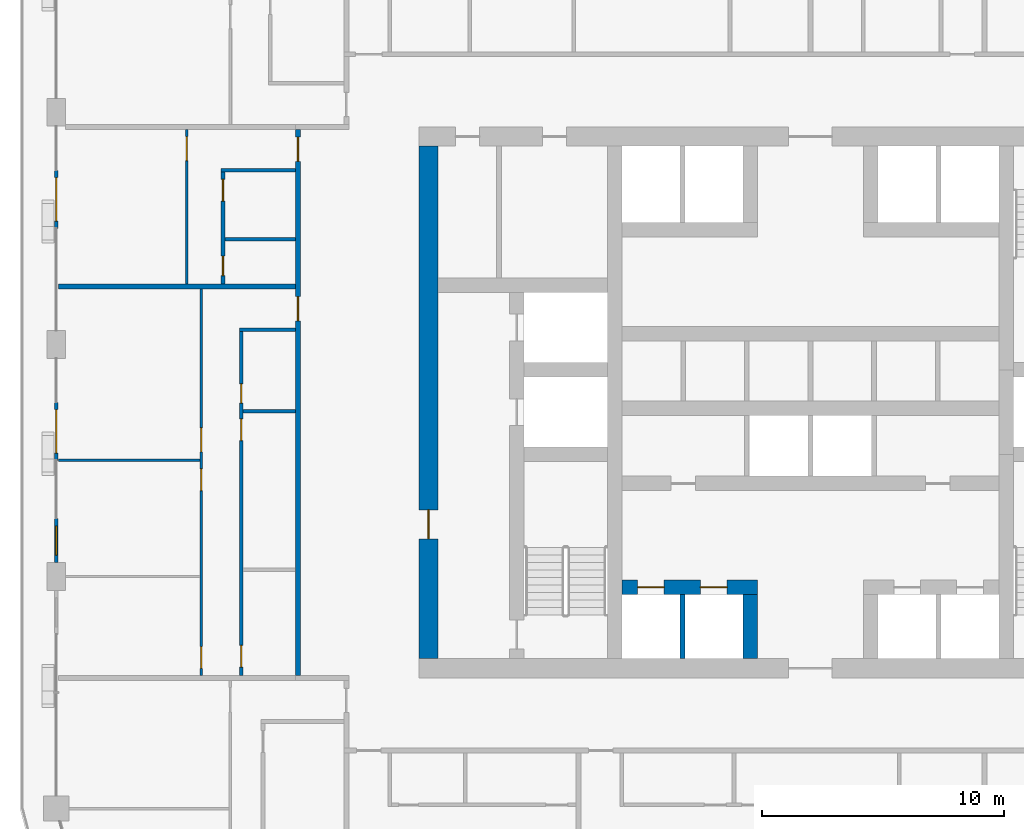
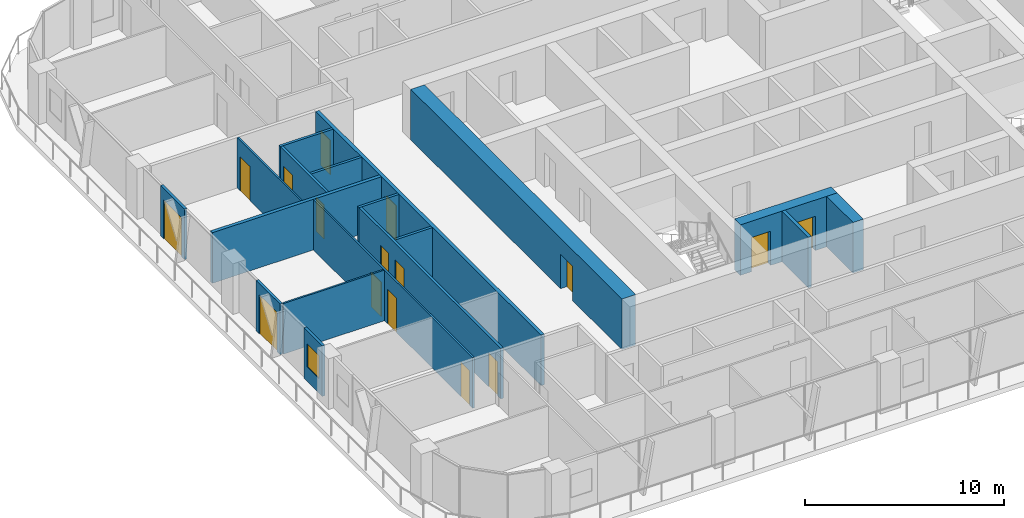
# One storey, part 10 of 22: 18 walls, 16 doors, 1 window, 17 openings.
"""IFC4 building model written with IfcOpenShell, lengths in metres."""

import ifcopenshell
import ifcopenshell.guid

model = None  # the IFC model being written
_history = None  # IfcOwnerHistory: only IFC2X3 demands one
_inside = {}  # id of a spatial element -> (the spatial element, [elements in it])
_under = {}  # id of a project, library or spatial element -> (it, [spatial elements below it])
_declared = {}  # id of a project -> (the project, [libraries it declares])
_typed = {}  # id of a type object -> (the type object, [elements of that type])
_made_of = {}  # id of a material, layer set ... -> (it, [elements and type objects made of it])


def new_model(schema):
    """Start an empty IFC model of exactly this schema.

    Asked for "IFC4X3", IfcOpenShell would pick the latest addendum, in which some entities
    have other attributes; the version numbers below select the first issue.
    IFC2X3 requires an IfcOwnerHistory on every rooted entity: one is made here for all.
    """
    global model, _history
    if schema == "IFC4X3":
        model = ifcopenshell.file(schema_version=(4, 3, 0, 0))
    else:
        model = ifcopenshell.file(schema=schema)
    _inside.clear()
    _under.clear()
    _declared.clear()
    _typed.clear()
    _made_of.clear()
    _history = None
    if model.schema == "IFC2X3":
        org = make("IfcOrganization", Name="unknown")
        user = make(
            "IfcPersonAndOrganization",
            ThePerson=make("IfcPerson", FamilyName="unknown"),
            TheOrganization=org,
        )
        app = make(
            "IfcApplication",
            ApplicationDeveloper=org,
            Version="unknown",
            ApplicationFullName="unknown",
            ApplicationIdentifier="unknown",
        )
        _history = make(
            "IfcOwnerHistory",
            OwningUser=user,
            OwningApplication=app,
            ChangeAction="ADDED",
            CreationDate=0,
        )
    return model


def make(cls, **values):
    """One entity of the class cls with the attributes given. An attribute that is None is left unset."""
    return model.create_entity(
        cls, **{name: value for name, value in values.items() if value is not None}
    )


def rooted(cls, **values):
    """An entity with a GlobalId (a new one), such as an element, a storey or a relation."""
    return make(cls, GlobalId=ifcopenshell.guid.new(), OwnerHistory=_history, **values)


def si_unit(unit_type, name, prefix=None):
    """IfcSIUnit, for example si_unit("LENGTHUNIT", "METRE", prefix="MILLI")."""
    return make("IfcSIUnit", UnitType=unit_type, Prefix=prefix, Name=name)


def assignment(units):
    """IfcUnitAssignment: the units of a project."""
    return None if units is None else make("IfcUnitAssignment", Units=units)


def point(xyz):
    """IfcCartesianPoint."""
    return None if xyz is None else make("IfcCartesianPoint", Coordinates=xyz)


def direction(xyz):
    """IfcDirection."""
    return None if xyz is None else make("IfcDirection", DirectionRatios=xyz)


def frame(location, z_axis=None, x_axis=None):
    """IfcAxis2Placement3D, a coordinate frame: its origin and axes. An axis left out is left unset."""
    return make(
        "IfcAxis2Placement3D",
        Location=point(location),
        Axis=direction(z_axis),
        RefDirection=direction(x_axis),
    )


def frame_2d(location, x_axis=None):
    """IfcAxis2Placement2D, a coordinate frame in the plane: its origin and x axis."""
    return make(
        "IfcAxis2Placement2D", Location=point(location), RefDirection=direction(x_axis)
    )


def origin():
    """The frame at (0, 0, 0) with its axes left unset."""
    return frame((0.0, 0.0, 0.0))


def place(relative_to, where):
    """IfcLocalPlacement: puts the frame where relative to a parent placement (None: the world)."""
    return make(
        "IfcLocalPlacement", PlacementRelTo=relative_to, RelativePlacement=where
    )


def context(
    kind, dimensions, precision=None, world=None, true_north=None, identifier=None
):
    """IfcGeometricRepresentationContext, for example the 3D "Model" context."""
    return make(
        "IfcGeometricRepresentationContext",
        ContextIdentifier=identifier,
        ContextType=kind,
        CoordinateSpaceDimension=dimensions,
        Precision=precision,
        WorldCoordinateSystem=world,
        TrueNorth=true_north,
    )


def subcontext(parent, identifier, kind, view, scale=None):
    """IfcGeometricRepresentationSubContext, for example "Body" below "Model"."""
    return make(
        "IfcGeometricRepresentationSubContext",
        ContextIdentifier=identifier,
        ContextType=kind,
        ParentContext=parent,
        TargetScale=scale,
        TargetView=view,
    )


def project(units=None, contexts=None):
    """IfcProject with its units and contexts."""
    return rooted(
        "IfcProject",
        Name="project",
        RepresentationContexts=contexts,
        UnitsInContext=assignment(units),
    )


def spatial(cls, under=None, at=None, **own):
    """A site, building, storey or space (cls), placed at a placement, below another one or the project."""
    s = rooted(cls, ObjectPlacement=at, **own)
    if under is not None:
        _under.setdefault(under.id(), (under, []))[1].append(s)
    return s


def profile(cls, at=None, kind="AREA", **sizes):
    """A parametric profile (cls). Its sizes go by their IFC names, for example OverallWidth=200.0."""
    return make(cls, ProfileType=kind, Position=at, **sizes)


def rectangle(**sizes):
    """IfcRectangleProfileDef."""
    return profile("IfcRectangleProfileDef", **sizes)


def extrude(swept, where, along, depth):
    """IfcExtrudedAreaSolid: the profile swept, set in the frame where, extruded along a direction by depth."""
    return make(
        "IfcExtrudedAreaSolid",
        SweptArea=swept,
        Position=where,
        ExtrudedDirection=direction(along),
        Depth=depth,
    )


def shape(context_of_items, identifier, shape_type, items):
    """IfcShapeRepresentation: the items that make up one representation, for example the "Body"."""
    return make(
        "IfcShapeRepresentation",
        ContextOfItems=context_of_items,
        RepresentationIdentifier=identifier,
        RepresentationType=shape_type,
        Items=items,
    )


def material(Name=None, Category=None):
    """IfcMaterial."""
    return make("IfcMaterial", Name=Name, Category=Category)


def layer(
    of_material, thickness, ventilated=None, Name=None, Category=None, Priority=None
):
    """IfcMaterialLayer: one layer of a wall or slab, of a material (None: an air gap)."""
    return make(
        "IfcMaterialLayer",
        Material=of_material,
        LayerThickness=thickness,
        IsVentilated=ventilated,
        Name=Name,
        Category=Category,
        Priority=Priority,
    )


def layer_set(layers, Name=None):
    """IfcMaterialLayerSet."""
    return make("IfcMaterialLayerSet", MaterialLayers=layers, LayerSetName=Name)


def made_of(thing, what):
    """Note that an element or type object is made of a material, layer set ...; save() writes the relation."""
    if what is not None:
        _made_of.setdefault(what.id(), (what, []))[1].append(thing)
    return thing


def type_object(cls, material=None, **own):
    """A type object (cls), such as IfcWallType, which elements share."""
    return made_of(rooted(cls, **own), material)


def element(
    cls,
    number,
    at=None,
    inside=None,
    cuts=None,
    type_object=None,
    material=None,
    context=None,
    identifier="Body",
    shape_type=None,
    held_by="IfcProductDefinitionShape",
    body=None,
    shapes=None,
    **own,
):
    """One element of the class cls, such as IfcWall. Its Tag is "e" and its number.

    at: its placement. inside: the storey or other place that contains it. cuts: it is an
    opening in that element (IfcRelVoidsElement). A single representation is given by context,
    identifier, shape_type and body (its items); several are given by shapes. held_by: the class
    of the entity that holds the representations. save() writes the other relations.
    """
    e = rooted(cls, Tag="e%d" % number, ObjectPlacement=at, **own)
    if body is not None:
        shapes = [shape(context, identifier, shape_type, body)]
    if shapes is not None:
        e.Representation = make(held_by, Representations=shapes)
    if inside is not None:
        _inside.setdefault(inside.id(), (inside, []))[1].append(e)
    if cuts is not None:
        rooted(
            "IfcRelVoidsElement", RelatingBuildingElement=cuts, RelatedOpeningElement=e
        )
    if type_object is not None:
        _typed.setdefault(type_object.id(), (type_object, []))[1].append(e)
    return made_of(e, material)


def fill(opening, filler):
    """IfcRelFillsElement: the door or window that sits in an opening."""
    return rooted(
        "IfcRelFillsElement",
        RelatingOpeningElement=opening,
        RelatedBuildingElement=filler,
    )


def aggregate(whole, parts):
    """IfcRelAggregates: a whole, such as a stair, and the parts it consists of."""
    return rooted("IfcRelAggregates", RelatingObject=whole, RelatedObjects=parts)


def save(model, path):
    """Write the relations noted so far, then the file.

    IfcRelAggregates (storeys below a building ...), IfcRelContainedInSpatialStructure (elements
    in a storey), IfcRelDefinesByType, IfcRelAssociatesMaterial and IfcRelDeclares: one each for
    every whole, place, type object, material and project.
    """
    for whole, parts in _under.values():
        aggregate(whole, parts)
    for where, things in _inside.values():
        rooted(
            "IfcRelContainedInSpatialStructure",
            RelatedElements=things,
            RelatingStructure=where,
        )
    for kind, things in _typed.values():
        rooted("IfcRelDefinesByType", RelatedObjects=things, RelatingType=kind)
    for what, things in _made_of.values():
        rooted("IfcRelAssociatesMaterial", RelatedObjects=things, RelatingMaterial=what)
    for by, libraries in _declared.values():
        rooted("IfcRelDeclares", RelatingContext=by, RelatedDefinitions=libraries)
    model.write(path)


model = new_model("IFC4")

# Units and contexts
model_context = context("Model", 3, precision=1e-05, world=origin(), true_north=direction((0.0, 1.0)))
body_context = subcontext(model_context, "Body", "Model", "MODEL_VIEW")
ifc_project = project(units=[si_unit("LENGTHUNIT", "METRE"), si_unit("AREAUNIT", "SQUARE_METRE"), si_unit("VOLUMEUNIT", "CUBIC_METRE"), si_unit("PLANEANGLEUNIT", "RADIAN"), si_unit("MASSUNIT", "GRAM", prefix="KILO")], contexts=[model_context])

# Site, building, storey
site_placement = place(None, origin())
site = spatial("IfcSite", under=ifc_project, at=site_placement, CompositionType="ELEMENT")
building_placement = place(site_placement, origin())
building = spatial("IfcBuilding", under=site, at=building_placement, Name="Madar Terraces", CompositionType="ELEMENT")
storey_placement = place(building_placement, frame((0.0, 0.0, 140.10009765625)))
storey = spatial("IfcBuildingStorey", under=building, at=storey_placement, Name="L36", CompositionType="ELEMENT", Elevation=140.10009765625)

# Wall, openings, doors
ifc_material_1 = material(Name="Concrete C70/85", Category="concrete")
ifc_layer_1 = layer(ifc_material_1, 0.60009765625)
ifc_layer_set_1 = layer_set([ifc_layer_1], Name="Concrete C70/85 (CIW3 RC wall 600)")
wall_type_1 = type_object("IfcWallType", Name="CIW3 RC wall 600", PredefinedType="SHEAR", material=ifc_layer_set_1)
wall_1_placement = place(storey_placement, frame((23.39990234375, 18.75, 0.0), z_axis=(0.0, 0.0, 1.0), x_axis=(1.0, 0.0, 0.0)))
wall_1 = element("IfcWall", 1, at=wall_1_placement, inside=storey, type_object=wall_type_1, Name="CORE SHAFT WALL", PredefinedType="SHEAR", context=body_context, shape_type="SweptSolid", body=[
    extrude(rectangle(XDim=5.60009765625, YDim=0.60009765625, at=frame_2d((2.800048828125, 0.0))), origin(), (0.0, 0.0, 1.0), 3.099853515625),
])
opening_1_placement = place(wall_1_placement, frame((0.64990234375, 0.0, 0.0)))
opening_1 = element("IfcOpeningElement", 2, at=opening_1_placement, cuts=wall_1, Name="Opening LD", PredefinedType="OPENING", context=body_context, shape_type="SweptSolid", body=[
    extrude(rectangle(XDim=1.10009765625, YDim=2.10009765625, at=frame_2d((0.550048828125, 1.050048828125))), frame((0.0, 0.31005859375, 0.0), z_axis=(0.0, -1.0, 0.0), x_axis=(1.0, 0.0, 0.0)), (0.0, 0.0, 1.0), 0.6201171875),
])
opening_2_placement = place(wall_1_placement, frame((3.25, 0.0, 0.0)))
opening_2 = element("IfcOpeningElement", 3, at=opening_2_placement, cuts=wall_1, Name="Opening LD", PredefinedType="OPENING", context=body_context, shape_type="SweptSolid", body=[
    extrude(rectangle(XDim=1.10009765625, YDim=2.10009765625, at=frame_2d((0.550048828125, 1.050048828125))), frame((0.0, 0.31005859375, 0.0), z_axis=(0.0, -1.0, 0.0), x_axis=(1.0, 0.0, 0.0)), (0.0, 0.0, 1.0), 0.6201171875),
])
ifc_material_2 = material(Name="Stainless steel panel", Category="steel")
door_type_1 = type_object("IfcDoorType", Name="Lift landing door 1100 x 2100", OperationType="DOUBLE_DOOR_SLIDING", PredefinedType="DOOR", material=ifc_material_2)
door_1_placement = place(opening_1_placement, origin())
door_1 = element("IfcDoor", 4, at=door_1_placement, inside=storey, type_object=door_type_1, Name="LIFT LANDING DOOR", OperationType="DOUBLE_DOOR_SLIDING", OverallHeight=2.10009765625, OverallWidth=1.10009765625, PredefinedType="DOOR", context=body_context, shape_type="SweptSolid", body=[
    extrude(rectangle(XDim=1.10009765625, YDim=2.10009765625, at=frame_2d((0.550048828125, 1.050048828125))), frame((0.0, 0.02490234375, 0.0), z_axis=(0.0, -1.0, 0.0), x_axis=(1.0, 0.0, 0.0)), (0.0, 0.0, 1.0), 0.050048828125),
])
fill(opening_1, door_1)
door_2_placement = place(opening_2_placement, origin())
door_2 = element("IfcDoor", 5, at=door_2_placement, inside=storey, type_object=door_type_1, Name="LIFT LANDING DOOR", OperationType="DOUBLE_DOOR_SLIDING", OverallHeight=2.10009765625, OverallWidth=1.10009765625, PredefinedType="DOOR", context=body_context, shape_type="SweptSolid", body=[
    extrude(rectangle(XDim=1.10009765625, YDim=2.10009765625, at=frame_2d((0.550048828125, 1.050048828125))), frame((0.0, 0.02490234375, 0.0), z_axis=(0.0, -1.0, 0.0), x_axis=(1.0, 0.0, 0.0)), (0.0, 0.0, 1.0), 0.050048828125),
])
fill(opening_2, door_2)

# Wall
wall_2_placement = place(storey_placement, frame((28.699951171875, 15.800048828125, 0.0), z_axis=(0.0, 0.0, 1.0), x_axis=(0.0, 1.0, 0.0)))
element("IfcWall", 6, at=wall_2_placement, inside=storey, type_object=wall_type_1, Name="CORE SHAFT WALL", PredefinedType="SHEAR", context=body_context, shape_type="SweptSolid", body=[
    extrude(rectangle(XDim=2.64990234375, YDim=0.60009765625, at=frame_2d((1.324951171875, 0.0))), origin(), (0.0, 0.0, 1.0), 3.099853515625),
])

# Wall, opening, door
ifc_material_3 = material(Name="Concrete C70/85", Category="concrete")
ifc_layer_2 = layer(ifc_material_3, 0.800048828125)
ifc_layer_set_2 = layer_set([ifc_layer_2], Name="Concrete C70/85 (CRW3 RC wall 800)")
wall_type_2 = type_object("IfcWallType", Name="CRW3 RC wall 800", PredefinedType="SHEAR", material=ifc_layer_set_2)
wall_3_placement = place(storey_placement, frame((15.39990234375, 15.800048828125, 0.0), z_axis=(0.0, 0.0, 1.0), x_axis=(0.0, 1.0, 0.0)))
wall_3 = element("IfcWall", 7, at=wall_3_placement, inside=storey, type_object=wall_type_2, Name="CORE OUTER WALL", PredefinedType="SHEAR", context=body_context, shape_type="SweptSolid", body=[
    extrude(rectangle(XDim=21.199951171875, YDim=0.800048828125, at=frame_2d((10.60009765625, 0.0))), origin(), (0.0, 0.0, 1.0), 3.099853515625),
])
opening_3_placement = place(wall_3_placement, frame((4.9599609375, 0.0, 0.0)))
opening_3 = element("IfcOpeningElement", 8, at=opening_3_placement, cuts=wall_3, Name="Opening SD1", PredefinedType="OPENING", context=body_context, shape_type="SweptSolid", body=[
    extrude(rectangle(XDim=1.199951171875, YDim=2.10009765625, at=frame_2d((0.60009765625, 1.050048828125))), frame((0.0, 0.409912109375, 0.0), z_axis=(0.0, -1.0, 0.0), x_axis=(1.0, 0.0, 0.0)), (0.0, 0.0, 1.0), 0.820068359375),
])
ifc_material_4 = material(Name="Steel door leaf", Category="steel")
door_type_2 = type_object("IfcDoorType", Name="Stair door 1200 x 2100", OperationType="NOTDEFINED", PredefinedType="DOOR", material=ifc_material_4)
door_3_placement = place(opening_3_placement, frame((1.199951171875, 0.0, 0.0), z_axis=(0.0, 0.0, 1.0), x_axis=(-1.0, 0.0, 0.0)))
door_3 = element("IfcDoor", 9, at=door_3_placement, inside=storey, type_object=door_type_2, Name="STAIR DOOR", OperationType="SINGLE_SWING_LEFT", OverallHeight=2.10009765625, OverallWidth=1.199951171875, PredefinedType="DOOR", context=body_context, shape_type="SweptSolid", body=[
    extrude(rectangle(XDim=1.199951171875, YDim=2.10009765625, at=frame_2d((0.60009765625, 1.050048828125))), frame((0.0, 0.02490234375, 0.0), z_axis=(0.0, -1.0, 0.0), x_axis=(1.0, 0.0, 0.0)), (0.0, 0.0, 1.0), 0.050048828125),
])
fill(opening_3, door_3)

# Wall
ifc_material_5 = material(Name="Concrete C40/50", Category="concrete")
ifc_layer_3 = layer(ifc_material_5, 0.199951171875)
ifc_layer_set_3 = layer_set([ifc_layer_3], Name="Core shaft dividing wall 200 C40/50")
wall_type_3 = type_object("IfcWallType", Name="Core shaft dividing wall 200 C40/50", PredefinedType="SOLIDWALL", material=ifc_layer_set_3)
wall_4_placement = place(storey_placement, frame((25.89990234375, 15.800048828125, 0.0), z_axis=(0.0, 0.0, 1.0), x_axis=(0.0, 1.0, 0.0)))
element("IfcWall", 10, at=wall_4_placement, inside=storey, type_object=wall_type_3, Name="SHAFT DIVIDING WALL", PredefinedType="SOLIDWALL", context=body_context, shape_type="SweptSolid", body=[
    extrude(rectangle(XDim=2.64990234375, YDim=0.199951171875, at=frame_2d((1.324951171875, 0.0))), origin(), (0.0, 0.0, 1.0), 3.099853515625),
])

# Wall, opening, door
ifc_material_6 = material(Name="Aluminium composite panel, black, over insulated backing", Category="aluminium")
ifc_layer_4 = layer(ifc_material_6, 0.14990234375)
ifc_layer_set_4 = layer_set([ifc_layer_4], Name="Facade bay panel 150")
wall_type_4 = type_object("IfcWallType", Name="Facade bay panel 150", PredefinedType="SOLIDWALL", material=ifc_layer_set_4)
wall_5_placement = place(storey_placement, frame((0.0, 36.0, 0.0), z_axis=(0.0, 0.0, 1.0), x_axis=(0.0, -1.0, 0.0)))
wall_5 = element("IfcWall", 11, at=wall_5_placement, inside=storey, type_object=wall_type_4, Name="Facade bay panel", PredefinedType="SOLIDWALL", context=body_context, shape_type="SweptSolid", body=[
    extrude(rectangle(XDim=2.39990234375, YDim=0.14990234375, at=frame_2d((1.199951171875, 0.0))), origin(), (0.0, 0.0, 1.0), 3.099853515625),
])
opening_4_placement = place(wall_5_placement, frame((0.300048828125, 0.0, 0.0)))
opening_4 = element("IfcOpeningElement", 12, at=opening_4_placement, cuts=wall_5, Name="Opening ED1", PredefinedType="OPENING", context=body_context, shape_type="SweptSolid", body=[
    extrude(rectangle(XDim=1.800048828125, YDim=2.39990234375, at=frame_2d((0.89990234375, 1.199951171875))), frame((0.0, 0.0849609375, 0.0), z_axis=(0.0, -1.0, 0.0), x_axis=(1.0, 0.0, 0.0)), (0.0, 0.0, 1.0), 0.169921875),
])
ifc_material_7 = material(Name="Glass, clear, with black aluminium frame", Category="aluminium")
door_type_3 = type_object("IfcDoorType", Name="Balcony and terrace sliding door 1800 x 2400", OperationType="SLIDING_TO_LEFT", PredefinedType="DOOR", material=ifc_material_7)
door_4_placement = place(opening_4_placement, origin())
door_4 = element("IfcDoor", 13, at=door_4_placement, inside=storey, type_object=door_type_3, Name="Balcony door", OperationType="SLIDING_TO_RIGHT", OverallHeight=2.39990234375, OverallWidth=1.800048828125, PredefinedType="DOOR", context=body_context, shape_type="SweptSolid", body=[
    extrude(rectangle(XDim=1.800048828125, YDim=2.39990234375, at=frame_2d((0.89990234375, 1.199951171875))), frame((0.0, 0.02490234375, 0.0), z_axis=(0.0, -1.0, 0.0), x_axis=(1.0, 0.0, 0.0)), (0.0, 0.0, 1.0), 0.050048828125),
])
fill(opening_4, door_4)

wall_6_placement = place(storey_placement, frame((0.0, 26.39990234375, 0.0), z_axis=(0.0, 0.0, 1.0), x_axis=(0.0, -1.0, 0.0)))
wall_6 = element("IfcWall", 14, at=wall_6_placement, inside=storey, type_object=wall_type_4, Name="Facade bay panel", PredefinedType="SOLIDWALL", context=body_context, shape_type="SweptSolid", body=[
    extrude(rectangle(XDim=2.39990234375, YDim=0.14990234375, at=frame_2d((1.199951171875, 0.0))), origin(), (0.0, 0.0, 1.0), 3.099853515625),
])
opening_5_placement = place(wall_6_placement, frame((0.300048828125, 0.0, 0.0)))
opening_5 = element("IfcOpeningElement", 15, at=opening_5_placement, cuts=wall_6, Name="Opening ED1", PredefinedType="OPENING", context=body_context, shape_type="SweptSolid", body=[
    extrude(rectangle(XDim=1.800048828125, YDim=2.39990234375, at=frame_2d((0.89990234375, 1.199951171875))), frame((0.0, 0.0849609375, 0.0), z_axis=(0.0, -1.0, 0.0), x_axis=(1.0, 0.0, 0.0)), (0.0, 0.0, 1.0), 0.169921875),
])
door_5_placement = place(opening_5_placement, origin())
door_5 = element("IfcDoor", 16, at=door_5_placement, inside=storey, type_object=door_type_3, Name="Balcony door", OperationType="SLIDING_TO_LEFT", OverallHeight=2.39990234375, OverallWidth=1.800048828125, PredefinedType="DOOR", context=body_context, shape_type="SweptSolid", body=[
    extrude(rectangle(XDim=1.800048828125, YDim=2.39990234375, at=frame_2d((0.89990234375, 1.199951171875))), frame((0.0, 0.02490234375, 0.0), z_axis=(0.0, -1.0, 0.0), x_axis=(1.0, 0.0, 0.0)), (0.0, 0.0, 1.0), 0.050048828125),
])
fill(opening_5, door_5)

# Wall, opening, window
wall_7_placement = place(storey_placement, frame((0.0, 21.60009765625, 0.0), z_axis=(0.0, 0.0, 1.0), x_axis=(0.0, -1.0, 0.0)))
wall_7 = element("IfcWall", 17, at=wall_7_placement, inside=storey, type_object=wall_type_4, Name="Facade bay panel", PredefinedType="SOLIDWALL", context=body_context, shape_type="SweptSolid", body=[
    extrude(rectangle(XDim=1.8251953125, YDim=0.14990234375, at=frame_2d((0.91259765625, 0.0))), origin(), (0.0, 0.0, 1.0), 3.099853515625),
])
opening_6_placement = place(wall_7_placement, frame((0.3125, 0.0, 0.89990234375)))
opening_6 = element("IfcOpeningElement", 18, at=opening_6_placement, cuts=wall_7, Name="Opening W1", PredefinedType="OPENING", context=body_context, shape_type="SweptSolid", body=[
    extrude(rectangle(XDim=1.199951171875, YDim=1.39990234375, at=frame_2d((0.60009765625, 0.699951171875))), frame((0.0, 0.0849609375, 0.0), z_axis=(0.0, -1.0, 0.0), x_axis=(1.0, 0.0, 0.0)), (0.0, 0.0, 1.0), 0.169921875),
])
ifc_material_8 = material(Name="Glass, clear, with black aluminium frame", Category="aluminium")
window_type = type_object("IfcWindowType", Name="Vent window 1200 x 1400", PartitioningType="SINGLE_PANEL", PredefinedType="WINDOW", material=ifc_material_8)
window_placement = place(opening_6_placement, origin())
window = element("IfcWindow", 19, at=window_placement, inside=storey, type_object=window_type, Name="Operable vent window", OverallHeight=1.39990234375, OverallWidth=1.199951171875, PartitioningType="SINGLE_PANEL", PredefinedType="WINDOW", context=body_context, shape_type="SweptSolid", body=[
    extrude(rectangle(XDim=1.199951171875, YDim=1.39990234375, at=frame_2d((0.60009765625, 0.699951171875))), frame((0.0, 0.030029296875, 0.0), z_axis=(0.0, -1.0, 0.0), x_axis=(1.0, 0.0, 0.0)), (0.0, 0.0, 1.0), 0.06005859375),
])
fill(opening_6, window)

# Wall, opening, door
ifc_material_9 = material(Name="Gypsum board on steel studs", Category="steel")
ifc_layer_5 = layer(ifc_material_9, 0.10009765625)
ifc_layer_set_5 = layer_set([ifc_layer_5], Name="Flat partition 100")
wall_type_5 = type_object("IfcWallType", Name="Flat partition 100", PredefinedType="PARTITIONING", material=ifc_layer_set_5)
wall_8_placement = place(storey_placement, frame((5.39990234375, 31.300048828125, 0.0), z_axis=(0.0, 0.0, 1.0), x_axis=(0.0, 1.0, 0.0)))
wall_8 = element("IfcWall", 20, at=wall_8_placement, inside=storey, type_object=wall_type_5, Name="Flat partition 100", PredefinedType="PARTITIONING", context=body_context, shape_type="SweptSolid", body=[
    extrude(rectangle(XDim=6.39990234375, YDim=0.10009765625, at=frame_2d((3.199951171875, 0.0))), origin(), (0.0, 0.0, 1.0), 3.099853515625),
])
opening_7_placement = place(wall_8_placement, frame((5.10009765625, 0.0, 0.0)))
opening_7 = element("IfcOpeningElement", 21, at=opening_7_placement, cuts=wall_8, Name="Opening D3", PredefinedType="OPENING", context=body_context, shape_type="SweptSolid", body=[
    extrude(rectangle(XDim=1.0, YDim=2.10009765625, at=frame_2d((0.5, 1.050048828125))), frame((0.0, 0.06005859375, 0.0), z_axis=(0.0, -1.0, 0.0), x_axis=(1.0, 0.0, 0.0)), (0.0, 0.0, 1.0), 0.1201171875),
])
ifc_material_10 = material(Name="Timber door leaf", Category="wood")
door_type_4 = type_object("IfcDoorType", Name="Flat living room door 1000", OperationType="NOTDEFINED", PredefinedType="DOOR", material=ifc_material_10)
door_6_placement = place(opening_7_placement, origin())
door_6 = element("IfcDoor", 22, at=door_6_placement, inside=storey, type_object=door_type_4, Name="Flat living room door 1000", OperationType="SINGLE_SWING_RIGHT", OverallHeight=2.10009765625, OverallWidth=1.0, PredefinedType="DOOR", context=body_context, shape_type="SweptSolid", body=[
    extrude(rectangle(XDim=1.0, YDim=2.10009765625, at=frame_2d((0.5, 1.050048828125))), frame((0.0, 0.02490234375, 0.0), z_axis=(0.0, -1.0, 0.0), x_axis=(1.0, 0.0, 0.0)), (0.0, 0.0, 1.0), 0.050048828125),
])
fill(opening_7, door_6)

# Wall
wall_9_placement = place(storey_placement, frame((5.949951171875, 24.0, 0.0), z_axis=(0.0, 0.0, 1.0), x_axis=(-1.0, 0.0, 0.0)))
element("IfcWall", 23, at=wall_9_placement, inside=storey, type_object=wall_type_5, Name="Flat partition 100", PredefinedType="PARTITIONING", context=body_context, shape_type="SweptSolid", body=[
    extrude(rectangle(XDim=5.849853515625, YDim=0.10009765625, at=frame_2d((2.9248046875, 0.0))), origin(), (0.0, 0.0, 1.0), 3.099853515625),
])

# Wall, openings, doors
wall_10_placement = place(storey_placement, frame((6.0, 15.10009765625, 0.0), z_axis=(0.0, 0.0, 1.0), x_axis=(0.0, 1.0, 0.0)))
wall_10 = element("IfcWall", 24, at=wall_10_placement, inside=storey, type_object=wall_type_5, Name="Flat partition 100", PredefinedType="PARTITIONING", context=body_context, shape_type="SweptSolid", body=[
    extrude(rectangle(XDim=16.0, YDim=0.10009765625, at=frame_2d((8.0, 0.0))), origin(), (0.0, 0.0, 1.0), 3.099853515625),
])
opening_8_placement = place(wall_10_placement, frame((9.25, 0.0, 0.0)))
opening_8 = element("IfcOpeningElement", 25, at=opening_8_placement, cuts=wall_10, Name="Opening D3", PredefinedType="OPENING", context=body_context, shape_type="SweptSolid", body=[
    extrude(rectangle(XDim=1.0, YDim=2.10009765625, at=frame_2d((0.5, 1.050048828125))), frame((0.0, 0.06005859375, 0.0), z_axis=(0.0, -1.0, 0.0), x_axis=(1.0, 0.0, 0.0)), (0.0, 0.0, 1.0), 0.1201171875),
])
opening_9_placement = place(wall_10_placement, frame((7.64990234375, 0.0, 0.0)))
opening_9 = element("IfcOpeningElement", 26, at=opening_9_placement, cuts=wall_10, Name="Opening D2", PredefinedType="OPENING", context=body_context, shape_type="SweptSolid", body=[
    extrude(rectangle(XDim=0.89990234375, YDim=2.10009765625, at=frame_2d((0.449951171875, 1.050048828125))), frame((0.0, 0.06005859375, 0.0), z_axis=(0.0, -1.0, 0.0), x_axis=(1.0, 0.0, 0.0)), (0.0, 0.0, 1.0), 0.1201171875),
])
opening_10_placement = place(wall_10_placement, frame((0.300048828125, 0.0, 0.0)))
opening_10 = element("IfcOpeningElement", 27, at=opening_10_placement, cuts=wall_10, Name="Opening D2", PredefinedType="OPENING", context=body_context, shape_type="SweptSolid", body=[
    extrude(rectangle(XDim=0.89990234375, YDim=2.10009765625, at=frame_2d((0.449951171875, 1.050048828125))), frame((0.0, 0.06005859375, 0.0), z_axis=(0.0, -1.0, 0.0), x_axis=(1.0, 0.0, 0.0)), (0.0, 0.0, 1.0), 0.1201171875),
])
door_7_placement = place(opening_8_placement, origin())
door_7 = element("IfcDoor", 28, at=door_7_placement, inside=storey, type_object=door_type_4, Name="Flat living room door 1000", OperationType="SINGLE_SWING_LEFT", OverallHeight=2.10009765625, OverallWidth=1.0, PredefinedType="DOOR", context=body_context, shape_type="SweptSolid", body=[
    extrude(rectangle(XDim=1.0, YDim=2.10009765625, at=frame_2d((0.5, 1.050048828125))), frame((0.0, 0.02490234375, 0.0), z_axis=(0.0, -1.0, 0.0), x_axis=(1.0, 0.0, 0.0)), (0.0, 0.0, 1.0), 0.050048828125),
])
fill(opening_8, door_7)
ifc_material_11 = material(Name="Timber door leaf", Category="wood")
door_type_5 = type_object("IfcDoorType", Name="Flat room door 900", OperationType="NOTDEFINED", PredefinedType="DOOR", material=ifc_material_11)
door_8_placement = place(opening_9_placement, origin())
door_8 = element("IfcDoor", 29, at=door_8_placement, inside=storey, type_object=door_type_5, Name="Flat room door 900", OperationType="SINGLE_SWING_RIGHT", OverallHeight=2.10009765625, OverallWidth=0.89990234375, PredefinedType="DOOR", context=body_context, shape_type="SweptSolid", body=[
    extrude(rectangle(XDim=0.89990234375, YDim=2.10009765625, at=frame_2d((0.449951171875, 1.050048828125))), frame((0.0, 0.02490234375, 0.0), z_axis=(0.0, -1.0, 0.0), x_axis=(1.0, 0.0, 0.0)), (0.0, 0.0, 1.0), 0.050048828125),
])
fill(opening_9, door_8)
door_9_placement = place(opening_10_placement, origin())
door_9 = element("IfcDoor", 30, at=door_9_placement, inside=storey, type_object=door_type_5, Name="Flat room door 900", OperationType="SINGLE_SWING_LEFT", OverallHeight=2.10009765625, OverallWidth=0.89990234375, PredefinedType="DOOR", context=body_context, shape_type="SweptSolid", body=[
    extrude(rectangle(XDim=0.89990234375, YDim=2.10009765625, at=frame_2d((0.449951171875, 1.050048828125))), frame((0.0, 0.02490234375, 0.0), z_axis=(0.0, -1.0, 0.0), x_axis=(1.0, 0.0, 0.0)), (0.0, 0.0, 1.0), 0.050048828125),
])
fill(opening_10, door_9)

ifc_material_12 = material(Name="Lightweight blockwork", Category="masonry")
ifc_layer_6 = layer(ifc_material_12, 0.199951171875)
ifc_layer_set_6 = layer_set([ifc_layer_6], Name="Flat party and entrance wall 200")
wall_type_6 = type_object("IfcWallType", Name="Flat party and entrance wall 200", PredefinedType="PARTITIONING", material=ifc_layer_set_6)
wall_11_placement = place(storey_placement, frame((10.0, 15.10009765625, 0.0), z_axis=(0.0, 0.0, 1.0), x_axis=(0.0, 1.0, 0.0)))
wall_11 = element("IfcWall", 31, at=wall_11_placement, inside=storey, type_object=wall_type_6, Name="Flat party and entrance wall 200", PredefinedType="PARTITIONING", context=body_context, shape_type="SweptSolid", body=[
    extrude(rectangle(XDim=22.599853515625, YDim=0.199951171875, at=frame_2d((11.2998046875, 0.0))), origin(), (0.0, 0.0, 1.0), 3.099853515625),
])
opening_11_placement = place(wall_11_placement, frame((21.27490234375, 0.0, 0.0)))
opening_11 = element("IfcOpeningElement", 32, at=opening_11_placement, cuts=wall_11, Name="Opening D1", PredefinedType="OPENING", context=body_context, shape_type="SweptSolid", body=[
    extrude(rectangle(XDim=1.0, YDim=2.10009765625, at=frame_2d((0.5, 1.050048828125))), frame((0.0, 0.10986328125, 0.0), z_axis=(0.0, -1.0, 0.0), x_axis=(1.0, 0.0, 0.0)), (0.0, 0.0, 1.0), 0.219970703125),
])
opening_12_placement = place(wall_11_placement, frame((14.675048828125, 0.0, 0.0)))
opening_12 = element("IfcOpeningElement", 33, at=opening_12_placement, cuts=wall_11, Name="Opening D1", PredefinedType="OPENING", context=body_context, shape_type="SweptSolid", body=[
    extrude(rectangle(XDim=1.0, YDim=2.10009765625, at=frame_2d((0.5, 1.050048828125))), frame((0.0, 0.10986328125, 0.0), z_axis=(0.0, -1.0, 0.0), x_axis=(1.0, 0.0, 0.0)), (0.0, 0.0, 1.0), 0.219970703125),
])
ifc_material_13 = material(Name="Timber fire door leaf", Category="wood")
door_type_6 = type_object("IfcDoorType", Name="Flat entrance door 1000 FD30S", OperationType="NOTDEFINED", PredefinedType="DOOR", material=ifc_material_13)
door_10_placement = place(opening_11_placement, origin())
door_10 = element("IfcDoor", 34, at=door_10_placement, inside=storey, type_object=door_type_6, Name="Flat entrance door 1000 FD30S", OperationType="SINGLE_SWING_RIGHT", OverallHeight=2.10009765625, OverallWidth=1.0, PredefinedType="DOOR", context=body_context, shape_type="SweptSolid", body=[
    extrude(rectangle(XDim=1.0, YDim=2.10009765625, at=frame_2d((0.5, 1.050048828125))), frame((0.0, 0.02490234375, 0.0), z_axis=(0.0, -1.0, 0.0), x_axis=(1.0, 0.0, 0.0)), (0.0, 0.0, 1.0), 0.050048828125),
])
fill(opening_11, door_10)
door_11_placement = place(opening_12_placement, origin())
door_11 = element("IfcDoor", 35, at=door_11_placement, inside=storey, type_object=door_type_6, Name="Flat entrance door 1000 FD30S", OperationType="SINGLE_SWING_RIGHT", OverallHeight=2.10009765625, OverallWidth=1.0, PredefinedType="DOOR", context=body_context, shape_type="SweptSolid", body=[
    extrude(rectangle(XDim=1.0, YDim=2.10009765625, at=frame_2d((0.5, 1.050048828125))), frame((0.0, 0.02490234375, 0.0), z_axis=(0.0, -1.0, 0.0), x_axis=(1.0, 0.0, 0.0)), (0.0, 0.0, 1.0), 0.050048828125),
])
fill(opening_12, door_11)

# Walls
wall_12_placement = place(storey_placement, frame((0.10009765625, 31.199951171875, 0.0), z_axis=(0.0, 0.0, 1.0), x_axis=(1.0, 0.0, 0.0)))
element("IfcWall", 36, at=wall_12_placement, inside=storey, type_object=wall_type_6, Name="Flat party and entrance wall 200", PredefinedType="PARTITIONING", context=body_context, shape_type="SweptSolid", body=[
    extrude(rectangle(XDim=9.7998046875, YDim=0.199951171875, at=frame_2d((4.89990234375, 0.0))), origin(), (0.0, 0.0, 1.0), 3.099853515625),
])
ifc_material_14 = material(Name="Lightweight blockwork", Category="masonry")
ifc_layer_7 = layer(ifc_material_14, 0.14990234375)
ifc_layer_set_7 = layer_set([ifc_layer_7], Name="Flat wet-room partition 150")
wall_type_7 = type_object("IfcWallType", Name="Flat wet-room partition 150", PredefinedType="PARTITIONING", material=ifc_layer_set_7)
wall_13_placement = place(storey_placement, frame((9.89990234375, 33.14990234375, 0.0), z_axis=(0.0, 0.0, 1.0), x_axis=(-1.0, 0.0, 0.0)))
element("IfcWall", 37, at=wall_13_placement, inside=storey, type_object=wall_type_7, Name="Flat wet-room partition 150", PredefinedType="PARTITIONING", context=body_context, shape_type="SweptSolid", body=[
    extrude(rectangle(XDim=2.9248046875, YDim=0.14990234375, at=frame_2d((1.46240234375, 0.0))), origin(), (0.0, 0.0, 1.0), 3.099853515625),
])
wall_14_placement = place(storey_placement, frame((9.89990234375, 36.0, 0.0), z_axis=(0.0, 0.0, 1.0), x_axis=(-1.0, 0.0, 0.0)))
element("IfcWall", 38, at=wall_14_placement, inside=storey, type_object=wall_type_7, Name="Flat wet-room partition 150", PredefinedType="PARTITIONING", context=body_context, shape_type="SweptSolid", body=[
    extrude(rectangle(XDim=3.074951171875, YDim=0.14990234375, at=frame_2d((1.53759765625, 0.0))), origin(), (0.0, 0.0, 1.0), 3.099853515625),
])

# Wall, openings, doors
wall_15_placement = place(storey_placement, frame((6.89990234375, 35.925048828125, 0.0), z_axis=(0.0, 0.0, 1.0), x_axis=(0.0, -1.0, 0.0)))
wall_15 = element("IfcWall", 39, at=wall_15_placement, inside=storey, type_object=wall_type_7, Name="Flat wet-room partition 150", PredefinedType="PARTITIONING", context=body_context, shape_type="SweptSolid", body=[
    extrude(rectangle(XDim=4.625, YDim=0.14990234375, at=frame_2d((2.3125, 0.0))), origin(), (0.0, 0.0, 1.0), 3.099853515625),
])
opening_13_placement = place(wall_15_placement, frame((0.300048828125, 0.0, 0.0)))
opening_13 = element("IfcOpeningElement", 40, at=opening_13_placement, cuts=wall_15, Name="Opening D2", PredefinedType="OPENING", context=body_context, shape_type="SweptSolid", body=[
    extrude(rectangle(XDim=0.89990234375, YDim=2.10009765625, at=frame_2d((0.449951171875, 1.050048828125))), frame((0.0, 0.0849609375, 0.0), z_axis=(0.0, -1.0, 0.0), x_axis=(1.0, 0.0, 0.0)), (0.0, 0.0, 1.0), 0.169921875),
])
opening_14_placement = place(wall_15_placement, frame((3.47509765625, 0.0, 0.0)))
opening_14 = element("IfcOpeningElement", 41, at=opening_14_placement, cuts=wall_15, Name="Opening D4", PredefinedType="OPENING", context=body_context, shape_type="SweptSolid", body=[
    extrude(rectangle(XDim=0.800048828125, YDim=2.10009765625, at=frame_2d((0.39990234375, 1.050048828125))), frame((0.0, 0.0849609375, 0.0), z_axis=(0.0, -1.0, 0.0), x_axis=(1.0, 0.0, 0.0)), (0.0, 0.0, 1.0), 0.169921875),
])
ifc_material_15 = material(Name="Timber door leaf", Category="wood")
door_type_7 = type_object("IfcDoorType", Name="Flat bathroom door 800", OperationType="NOTDEFINED", PredefinedType="DOOR", material=ifc_material_15)
door_12_placement = place(opening_14_placement, origin())
door_12 = element("IfcDoor", 42, at=door_12_placement, inside=storey, type_object=door_type_7, Name="Flat bathroom door 800", OperationType="SINGLE_SWING_RIGHT", OverallHeight=2.10009765625, OverallWidth=0.800048828125, PredefinedType="DOOR", context=body_context, shape_type="SweptSolid", body=[
    extrude(rectangle(XDim=0.800048828125, YDim=2.10009765625, at=frame_2d((0.39990234375, 1.050048828125))), frame((0.0, 0.02490234375, 0.0), z_axis=(0.0, -1.0, 0.0), x_axis=(1.0, 0.0, 0.0)), (0.0, 0.0, 1.0), 0.050048828125),
])
fill(opening_14, door_12)
door_13_placement = place(opening_13_placement, origin())
door_13 = element("IfcDoor", 43, at=door_13_placement, inside=storey, type_object=door_type_5, Name="Flat room door 900", OperationType="SINGLE_SWING_LEFT", OverallHeight=2.10009765625, OverallWidth=0.89990234375, PredefinedType="DOOR", context=body_context, shape_type="SweptSolid", body=[
    extrude(rectangle(XDim=0.89990234375, YDim=2.10009765625, at=frame_2d((0.449951171875, 1.050048828125))), frame((0.0, 0.02490234375, 0.0), z_axis=(0.0, -1.0, 0.0), x_axis=(1.0, 0.0, 0.0)), (0.0, 0.0, 1.0), 0.050048828125),
])
fill(opening_13, door_13)

# Walls
wall_16_placement = place(storey_placement, frame((9.89990234375, 26.042236328125, 0.0), z_axis=(0.0, 0.0, 1.0), x_axis=(-1.0, 0.0, 0.0)))
element("IfcWall", 44, at=wall_16_placement, inside=storey, type_object=wall_type_7, Name="Flat wet-room partition 150", PredefinedType="PARTITIONING", context=body_context, shape_type="SweptSolid", body=[
    extrude(rectangle(XDim=2.1748046875, YDim=0.14990234375, at=frame_2d((1.08740234375, 0.0))), origin(), (0.0, 0.0, 1.0), 3.099853515625),
])
wall_17_placement = place(storey_placement, frame((9.89990234375, 29.39990234375, 0.0), z_axis=(0.0, 0.0, 1.0), x_axis=(-1.0, 0.0, 0.0)))
element("IfcWall", 45, at=wall_17_placement, inside=storey, type_object=wall_type_7, Name="Flat wet-room partition 150", PredefinedType="PARTITIONING", context=body_context, shape_type="SweptSolid", body=[
    extrude(rectangle(XDim=2.324951171875, YDim=0.14990234375, at=frame_2d((1.16259765625, 0.0))), origin(), (0.0, 0.0, 1.0), 3.099853515625),
])

# Wall, openings, doors
wall_18_placement = place(storey_placement, frame((7.64990234375, 29.324951171875, 0.0), z_axis=(0.0, 0.0, 1.0), x_axis=(0.0, -1.0, 0.0)))
wall_18 = element("IfcWall", 46, at=wall_18_placement, inside=storey, type_object=wall_type_7, Name="Flat wet-room partition 150", PredefinedType="PARTITIONING", context=body_context, shape_type="SweptSolid", body=[
    extrude(rectangle(XDim=14.224853515625, YDim=0.14990234375, at=frame_2d((7.1123046875, 0.0))), origin(), (0.0, 0.0, 1.0), 3.099853515625),
])
opening_15_placement = place(wall_18_placement, frame((2.15771484375, 0.0, 0.0)))
opening_15 = element("IfcOpeningElement", 47, at=opening_15_placement, cuts=wall_18, Name="Opening D4", PredefinedType="OPENING", context=body_context, shape_type="SweptSolid", body=[
    extrude(rectangle(XDim=0.800048828125, YDim=2.10009765625, at=frame_2d((0.39990234375, 1.050048828125))), frame((0.0, 0.0849609375, 0.0), z_axis=(0.0, -1.0, 0.0), x_axis=(1.0, 0.0, 0.0)), (0.0, 0.0, 1.0), 0.169921875),
])
opening_16_placement = place(wall_18_placement, frame((3.607666015625, 0.0, 0.0)))
opening_16 = element("IfcOpeningElement", 48, at=opening_16_placement, cuts=wall_18, Name="Opening D2", PredefinedType="OPENING", context=body_context, shape_type="SweptSolid", body=[
    extrude(rectangle(XDim=0.89990234375, YDim=2.10009765625, at=frame_2d((0.449951171875, 1.050048828125))), frame((0.0, 0.0849609375, 0.0), z_axis=(0.0, -1.0, 0.0), x_axis=(1.0, 0.0, 0.0)), (0.0, 0.0, 1.0), 0.169921875),
])
opening_17_placement = place(wall_18_placement, frame((12.97509765625, 0.0, 0.0)))
opening_17 = element("IfcOpeningElement", 49, at=opening_17_placement, cuts=wall_18, Name="Opening D5", PredefinedType="OPENING", context=body_context, shape_type="SweptSolid", body=[
    extrude(rectangle(XDim=0.89990234375, YDim=2.10009765625, at=frame_2d((0.449951171875, 1.050048828125))), frame((0.0, 0.0849609375, 0.0), z_axis=(0.0, -1.0, 0.0), x_axis=(1.0, 0.0, 0.0)), (0.0, 0.0, 1.0), 0.169921875),
])
ifc_material_16 = material(Name="Timber door leaf", Category="wood")
door_type_8 = type_object("IfcDoorType", Name="Flat accessible bathroom door 900", OperationType="NOTDEFINED", PredefinedType="DOOR", material=ifc_material_16)
door_14_placement = place(opening_17_placement, origin())
door_14 = element("IfcDoor", 50, at=door_14_placement, inside=storey, type_object=door_type_8, Name="Flat accessible bathroom door 900", OperationType="SINGLE_SWING_RIGHT", OverallHeight=2.10009765625, OverallWidth=0.89990234375, PredefinedType="DOOR", context=body_context, shape_type="SweptSolid", body=[
    extrude(rectangle(XDim=0.89990234375, YDim=2.10009765625, at=frame_2d((0.449951171875, 1.050048828125))), frame((0.0, 0.02490234375, 0.0), z_axis=(0.0, -1.0, 0.0), x_axis=(1.0, 0.0, 0.0)), (0.0, 0.0, 1.0), 0.050048828125),
])
fill(opening_17, door_14)
door_15_placement = place(opening_15_placement, origin())
door_15 = element("IfcDoor", 51, at=door_15_placement, inside=storey, type_object=door_type_7, Name="Flat bathroom door 800", OperationType="SINGLE_SWING_RIGHT", OverallHeight=2.10009765625, OverallWidth=0.800048828125, PredefinedType="DOOR", context=body_context, shape_type="SweptSolid", body=[
    extrude(rectangle(XDim=0.800048828125, YDim=2.10009765625, at=frame_2d((0.39990234375, 1.050048828125))), frame((0.0, 0.02490234375, 0.0), z_axis=(0.0, -1.0, 0.0), x_axis=(1.0, 0.0, 0.0)), (0.0, 0.0, 1.0), 0.050048828125),
])
fill(opening_15, door_15)
door_16_placement = place(opening_16_placement, origin())
door_16 = element("IfcDoor", 52, at=door_16_placement, inside=storey, type_object=door_type_5, Name="Flat room door 900", OperationType="SINGLE_SWING_LEFT", OverallHeight=2.10009765625, OverallWidth=0.89990234375, PredefinedType="DOOR", context=body_context, shape_type="SweptSolid", body=[
    extrude(rectangle(XDim=0.89990234375, YDim=2.10009765625, at=frame_2d((0.449951171875, 1.050048828125))), frame((0.0, 0.02490234375, 0.0), z_axis=(0.0, -1.0, 0.0), x_axis=(1.0, 0.0, 0.0)), (0.0, 0.0, 1.0), 0.050048828125),
])
fill(opening_16, door_16)

save(model, "model.ifc")
